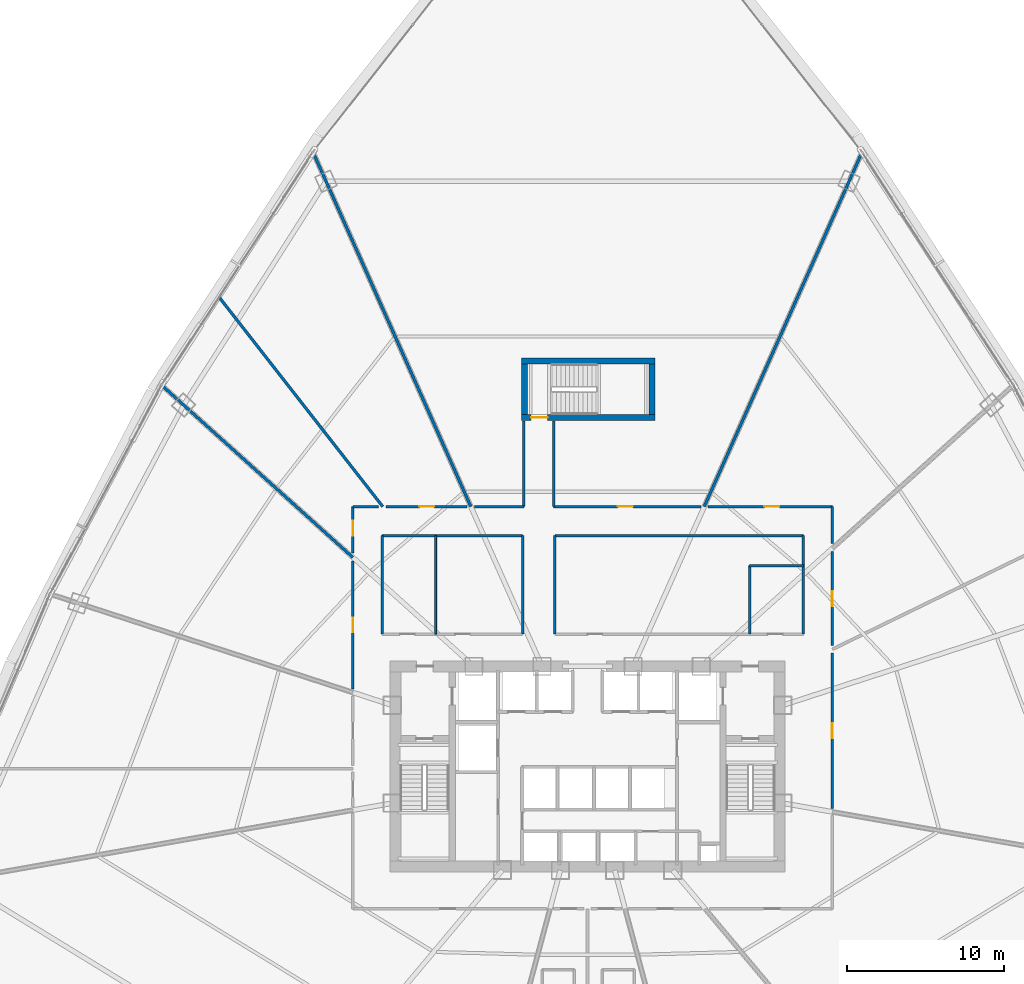
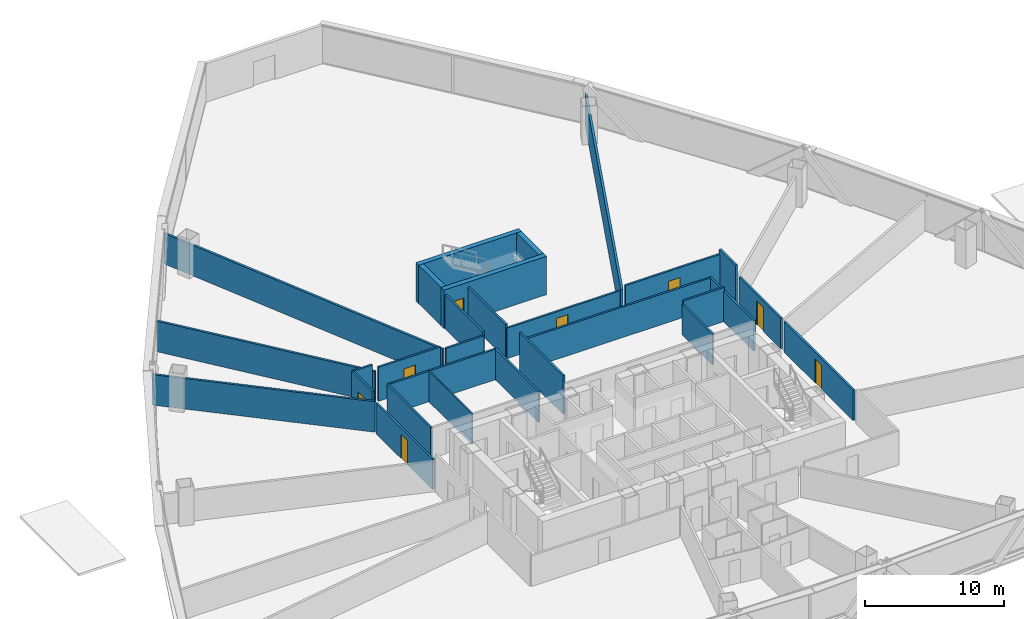
# One storey, part 32 of 38: 29 walls, 8 doors, 8 openings.
"""IFC4 building model written with IfcOpenShell, lengths in metres."""

from ifc_helpers import new_model, si_unit, direction, frame, frame_2d, origin, origin_with_axes, place, context, subcontext, project, spatial, rectangle, extrude, source, transform, mapped, material, layer, layer_set, type_object, element, fill, save


model = new_model("IFC4")

# Units and contexts
model_context = context("Model", 3, precision=1e-05, world=origin(), true_north=direction((0.0, 1.0)))
body_context = subcontext(model_context, "Body", "Model", "MODEL_VIEW")
ifc_project = project(units=[si_unit("LENGTHUNIT", "METRE"), si_unit("AREAUNIT", "SQUARE_METRE"), si_unit("VOLUMEUNIT", "CUBIC_METRE"), si_unit("PLANEANGLEUNIT", "RADIAN"), si_unit("MASSUNIT", "GRAM", prefix="KILO"), si_unit("THERMODYNAMICTEMPERATUREUNIT", "KELVIN"), si_unit("POWERUNIT", "WATT")], contexts=[model_context])

# Site, building, storey
site_placement = place(None, origin())
site = spatial("IfcSite", under=ifc_project, at=site_placement, CompositionType="ELEMENT")
building_placement = place(site_placement, origin())
building = spatial("IfcBuilding", under=site, at=building_placement, Name="Yunzhuo Pagoda Commons", CompositionType="ELEMENT")
storey_placement = place(building_placement, frame((0.0, 0.0, 30.39990234375)))
storey = spatial("IfcBuildingStorey", under=building, at=storey_placement, Name="L07", CompositionType="ELEMENT", Elevation=30.39990234375)

# Walls
ifc_material_1 = material(Name="Gypsum plasterboard on acoustic stud")
ifc_layer_1 = layer(ifc_material_1, 0.159912109375)
ifc_layer_set_1 = layer_set([ifc_layer_1], Name="Gypsum plasterboard on acoustic stud")
wall_type_1 = type_object("IfcWallType", Name="W-COR1 Tower Rated Corridor Wall 160", PredefinedType="PARTITIONING", material=ifc_layer_set_1)
wall_1_placement = place(storey_placement, frame((34.949951171875, 48.5, 0.0), z_axis=(0.0, 0.0, 1.0), x_axis=(1.0, 0.0, 0.0)))
element("IfcWall", 1, at=wall_1_placement, inside=storey, type_object=wall_type_1, Name="L07 interior wall IW-L07-ISLWN", PredefinedType="PARTITIONING", context=body_context, shape_type="SweptSolid", body=[
    extrude(rectangle(XDim=8.929931640625, YDim=0.159912109375, at=frame_2d((4.46484375, 0.0))), origin(), (0.0, 0.0, 1.0), 2.670166015625),
])
for number, where, z_axis, x_axis, name in (
    (2, (34.949951171875, 42.25, 0.0), (0.0, 0.0, 1.0), (0.0, 1.0, 0.0), "L07 interior wall IW-L07-ISLWW"),
    (3, (43.8798828125, 42.25, 0.0), (0.0, 0.0, 1.0), (0.0, 1.0, 0.0), "L07 interior wall IW-L07-ISLWE"),
):
    element("IfcWall", number, at=place(storey_placement, frame(where, z_axis=z_axis, x_axis=x_axis)), inside=storey, type_object=wall_type_1, Name=name, PredefinedType="PARTITIONING", context=body_context, shape_type="SweptSolid", body=[
        extrude(rectangle(XDim=6.25, YDim=0.159912109375, at=frame_2d((3.125, 0.0))), origin(), (0.0, 0.0, 1.0), 2.670166015625),
    ])
wall_2_placement = place(storey_placement, frame((45.919921875, 48.5, 0.0), z_axis=(0.0, 0.0, 1.0), x_axis=(1.0, 0.0, 0.0)))
element("IfcWall", 4, at=wall_2_placement, inside=storey, type_object=wall_type_1, Name="L07 interior wall IW-L07-ISLEN", PredefinedType="PARTITIONING", context=body_context, shape_type="SweptSolid", body=[
    extrude(rectangle(XDim=15.780029296875, YDim=0.159912109375, at=frame_2d((7.89013671875, 0.0))), origin(), (0.0, 0.0, 1.0), 2.670166015625),
])
wall_3_placement = place(storey_placement, frame((45.919921875, 42.25, 0.0), z_axis=(0.0, 0.0, 1.0), x_axis=(0.0, 1.0, 0.0)))
element("IfcWall", 5, at=wall_3_placement, inside=storey, type_object=wall_type_1, Name="L07 interior wall IW-L07-ISLEW", PredefinedType="PARTITIONING", context=body_context, shape_type="SweptSolid", body=[
    extrude(rectangle(XDim=6.25, YDim=0.159912109375, at=frame_2d((3.125, 0.0))), origin(), (0.0, 0.0, 1.0), 3.3701171875),
])
wall_4_placement = place(storey_placement, frame((61.699951171875, 42.25, 0.0), z_axis=(0.0, 0.0, 1.0), x_axis=(0.0, 1.0, 0.0)))
element("IfcWall", 6, at=wall_4_placement, inside=storey, type_object=wall_type_1, Name="L07 interior wall IW-L07-ISLEE", PredefinedType="PARTITIONING", context=body_context, shape_type="SweptSolid", body=[
    extrude(rectangle(XDim=6.25, YDim=0.159912109375, at=frame_2d((3.125, 0.0))), origin(), (0.0, 0.0, 1.0), 2.670166015625),
])
wall_5_placement = place(storey_placement, frame((58.300048828125, 42.25, 0.0), z_axis=(0.0, 0.0, 1.0), x_axis=(0.0, 1.0, 0.0)))
element("IfcWall", 7, at=wall_5_placement, inside=storey, type_object=wall_type_1, Name="L07 interior wall IW-L07-ISL2W", PredefinedType="PARTITIONING", context=body_context, shape_type="SweptSolid", body=[
    extrude(rectangle(XDim=4.35009765625, YDim=0.159912109375, at=frame_2d((2.175048828125, 0.0))), origin(), (0.0, 0.0, 1.0), 2.670166015625),
])
wall_6_placement = place(storey_placement, frame((58.300048828125, 46.60009765625, 0.0), z_axis=(0.0, 0.0, 1.0), x_axis=(1.0, 0.0, 0.0)))
element("IfcWall", 8, at=wall_6_placement, inside=storey, type_object=wall_type_1, Name="L07 interior wall IW-L07-ISL2N", PredefinedType="PARTITIONING", context=body_context, shape_type="SweptSolid", body=[
    extrude(rectangle(XDim=3.39990234375, YDim=0.159912109375, at=frame_2d((1.699951171875, 0.0))), origin(), (0.0, 0.0, 1.0), 2.97021484375),
])

# Wall, opening, door
wall_7_placement = place(storey_placement, frame((33.10009765625, 38.772705078125, 0.0), z_axis=(0.0, 0.0, 1.0), x_axis=(0.0, 1.0, 0.0)))
wall_7 = element("IfcWall", 9, at=wall_7_placement, inside=storey, type_object=wall_type_1, Name="L07 interior wall IW-L07-CWL04", PredefinedType="PARTITIONING", context=body_context, shape_type="SweptSolid", body=[
    extrude(rectangle(XDim=8.12353515625, YDim=0.159912109375, at=frame_2d((4.061767578125, 0.0))), origin(), (0.0, 0.0, 1.0), 2.670166015625),
])
opening_1_placement = place(wall_7_placement, frame((3.5810546875, 0.0, 0.0)))
opening_1 = element("IfcOpeningElement", 10, at=opening_1_placement, cuts=wall_7, Name="Opening D-06", PredefinedType="OPENING", context=body_context, shape_type="SweptSolid", body=[
    extrude(rectangle(XDim=0.949951171875, YDim=2.10009765625, at=frame_2d((0.47509765625, 1.050048828125))), frame((0.0, 0.08984375, 0.0), z_axis=(0.0, -1.0, 0.0), x_axis=(1.0, 0.0, 0.0)), (0.0, 0.0, 1.0), 0.179931640625),
])
ifc_material_2 = material(Name="Galvanized fire-resisting metal leaf")
door_type_1 = type_object("IfcDoorType", Name="D-06 Co-Living Suite Entrance Fire Door 950x2100", OperationType="NOTDEFINED", PredefinedType="DOOR", material=ifc_material_2)
shared_shape_1 = source(origin(), body_context, "Body", "SweptSolid", [
    extrude(rectangle(XDim=0.949951171875, YDim=2.10009765625, at=frame_2d((0.47509765625, 1.050048828125))), frame((0.0, 0.02490234375, 0.0), z_axis=(0.0, -1.0, 0.0), x_axis=(1.0, 0.0, 0.0)), (0.0, 0.0, 1.0), 0.050048828125),
])
door_1_placement = place(opening_1_placement, origin_with_axes())
door_1 = element("IfcDoor", 11, at=door_1_placement, inside=storey, type_object=door_type_1, Name="L07 unit 07 entrance door", OperationType="SINGLE_SWING_LEFT", OverallHeight=2.10009765625, OverallWidth=0.949951171875, PredefinedType="DOOR", context=body_context, shape_type="MappedRepresentation", body=[
    mapped(shared_shape_1, transform((0.0, 0.0, 0.0), scale=1.0)),
])
fill(opening_1, door_1)

wall_8_placement = place(storey_placement, frame((33.10009765625, 47.412109375, 0.0), z_axis=(0.0, 0.0, 1.0), x_axis=(0.0, 1.0, 0.0)))
wall_8 = element("IfcWall", 12, at=wall_8_placement, inside=storey, type_object=wall_type_1, Name="L07 interior wall IW-L07-CWL05", PredefinedType="PARTITIONING", context=body_context, shape_type="SweptSolid", body=[
    extrude(rectangle(XDim=2.93798828125, YDim=0.159912109375, at=frame_2d((1.468994140625, 0.0))), origin(), (0.0, 0.0, 1.0), 3.3701171875),
])
opening_2_placement = place(wall_8_placement, frame((1.075927734375, 0.0, 0.0)))
opening_2 = element("IfcOpeningElement", 13, at=opening_2_placement, cuts=wall_8, Name="Opening D-06", PredefinedType="OPENING", context=body_context, shape_type="SweptSolid", body=[
    extrude(rectangle(XDim=0.949951171875, YDim=2.10009765625, at=frame_2d((0.47509765625, 1.050048828125))), frame((0.0, 0.08984375, 0.0), z_axis=(0.0, -1.0, 0.0), x_axis=(1.0, 0.0, 0.0)), (0.0, 0.0, 1.0), 0.179931640625),
])
door_2_placement = place(opening_2_placement, origin_with_axes())
door_2 = element("IfcDoor", 14, at=door_2_placement, inside=storey, type_object=door_type_1, Name="L07 unit 06 entrance door", OperationType="SINGLE_SWING_RIGHT", OverallHeight=2.10009765625, OverallWidth=0.949951171875, PredefinedType="DOOR", context=body_context, shape_type="MappedRepresentation", body=[
    mapped(shared_shape_1, transform((0.0, 0.0, 0.0), scale=1.0)),
])
fill(opening_2, door_2)

# Wall
wall_9_placement = place(storey_placement, frame((33.10009765625, 50.35009765625, 0.0), z_axis=(0.0, 0.0, 1.0), x_axis=(1.0, 0.0, 0.0)))
element("IfcWall", 15, at=wall_9_placement, inside=storey, type_object=wall_type_1, Name="L07 interior wall IW-L07-CWL06", PredefinedType="PARTITIONING", context=body_context, shape_type="SweptSolid", body=[
    extrude(rectangle(XDim=1.6123046875, YDim=0.159912109375, at=frame_2d((0.80615234375, 0.0))), origin(), (0.0, 0.0, 1.0), 3.3701171875),
])

# Wall, opening, door
wall_10_placement = place(storey_placement, frame((35.21142578125, 50.35009765625, 0.0), z_axis=(0.0, 0.0, 1.0), x_axis=(1.0, 0.0, 0.0)))
wall_10 = element("IfcWall", 16, at=wall_10_placement, inside=storey, type_object=wall_type_1, Name="L07 interior wall IW-L07-CWL07", PredefinedType="PARTITIONING", context=body_context, shape_type="SweptSolid", body=[
    extrude(rectangle(XDim=5.134765625, YDim=0.159912109375, at=frame_2d((2.5673828125, 0.0))), origin(), (0.0, 0.0, 1.0), 2.97021484375),
])
opening_3_placement = place(wall_10_placement, frame((2.102783203125, 0.0, 0.0)))
opening_3 = element("IfcOpeningElement", 17, at=opening_3_placement, cuts=wall_10, Name="Opening D-06", PredefinedType="OPENING", context=body_context, shape_type="SweptSolid", body=[
    extrude(rectangle(XDim=0.949951171875, YDim=2.10009765625, at=frame_2d((0.47509765625, 1.050048828125))), frame((0.0, 0.08984375, 0.0), z_axis=(0.0, -1.0, 0.0), x_axis=(1.0, 0.0, 0.0)), (0.0, 0.0, 1.0), 0.179931640625),
])
door_3_placement = place(opening_3_placement, origin_with_axes())
door_3 = element("IfcDoor", 18, at=door_3_placement, inside=storey, type_object=door_type_1, Name="L07 unit 05 entrance door", OperationType="SINGLE_SWING_LEFT", OverallHeight=2.10009765625, OverallWidth=0.949951171875, PredefinedType="DOOR", context=body_context, shape_type="MappedRepresentation", body=[
    mapped(shared_shape_1, transform((0.0, 0.0, 0.0), scale=1.0)),
])
fill(opening_3, door_3)

# Walls
wall_11_placement = place(storey_placement, frame((40.806640625, 50.35009765625, 0.0), z_axis=(0.0, 0.0, 1.0), x_axis=(1.0, 0.0, 0.0)))
element("IfcWall", 19, at=wall_11_placement, inside=storey, type_object=wall_type_1, Name="L07 interior wall IW-L07-CWL08", PredefinedType="PARTITIONING", context=body_context, shape_type="SweptSolid", body=[
    extrude(rectangle(XDim=3.143310546875, YDim=0.159912109375, at=frame_2d((1.57177734375, 0.0))), origin(), (0.0, 0.0, 1.0), 2.670166015625),
])
for number, where, z_axis, x_axis, name in (
    (20, (43.949951171875, 50.35009765625, 0.0), (0.0, 0.0, 1.0), (0.0, 1.0, 0.0), "L07 interior wall IW-L07-CWL09"),
    (21, (45.85009765625, 55.780029296875, 0.0), (0.0, 0.0, 1.0), (0.0, -1.0, 0.0), "L07 interior wall IW-L07-CWL10"),
):
    element("IfcWall", number, at=place(storey_placement, frame(where, z_axis=z_axis, x_axis=x_axis)), inside=storey, type_object=wall_type_1, Name=name, PredefinedType="PARTITIONING", context=body_context, shape_type="SweptSolid", body=[
        extrude(rectangle(XDim=5.429931640625, YDim=0.159912109375, at=frame_2d((2.71484375, 0.0))), origin(), (0.0, 0.0, 1.0), 2.97021484375),
    ])

# Wall, opening, door
wall_12_placement = place(storey_placement, frame((45.85009765625, 50.35009765625, 0.0), z_axis=(0.0, 0.0, 1.0), x_axis=(1.0, 0.0, 0.0)))
wall_12 = element("IfcWall", 22, at=wall_12_placement, inside=storey, type_object=wall_type_1, Name="L07 interior wall IW-L07-CWL11", PredefinedType="PARTITIONING", context=body_context, shape_type="SweptSolid", body=[
    extrude(rectangle(XDim=9.34326171875, YDim=0.159912109375, at=frame_2d((4.671630859375, 0.0))), origin(), (0.0, 0.0, 1.0), 2.670166015625),
])
opening_4_placement = place(wall_12_placement, frame((4.076416015625, 0.0, 0.0)))
opening_4 = element("IfcOpeningElement", 23, at=opening_4_placement, cuts=wall_12, Name="Opening D-06", PredefinedType="OPENING", context=body_context, shape_type="SweptSolid", body=[
    extrude(rectangle(XDim=0.949951171875, YDim=2.10009765625, at=frame_2d((0.47509765625, 1.050048828125))), frame((0.0, 0.08984375, 0.0), z_axis=(0.0, -1.0, 0.0), x_axis=(1.0, 0.0, 0.0)), (0.0, 0.0, 1.0), 0.179931640625),
])
door_4_placement = place(opening_4_placement, origin_with_axes())
door_4 = element("IfcDoor", 24, at=door_4_placement, inside=storey, type_object=door_type_1, Name="L07 unit 04 entrance door", OperationType="SINGLE_SWING_RIGHT", OverallHeight=2.10009765625, OverallWidth=0.949951171875, PredefinedType="DOOR", context=body_context, shape_type="MappedRepresentation", body=[
    mapped(shared_shape_1, transform((0.0, 0.0, 0.0), scale=1.0)),
])
fill(opening_4, door_4)

wall_13_placement = place(storey_placement, frame((55.65380859375, 50.35009765625, 0.0), z_axis=(0.0, 0.0, 1.0), x_axis=(1.0, 0.0, 0.0)))
wall_13 = element("IfcWall", 25, at=wall_13_placement, inside=storey, type_object=wall_type_1, Name="L07 interior wall IW-L07-CWL12", PredefinedType="PARTITIONING", context=body_context, shape_type="SweptSolid", body=[
    extrude(rectangle(XDim=7.896240234375, YDim=0.159912109375, at=frame_2d((3.9482421875, 0.0))), origin(), (0.0, 0.0, 1.0), 2.97021484375),
])
opening_5_placement = place(wall_13_placement, frame((3.582763671875, 0.0, 0.0)))
opening_5 = element("IfcOpeningElement", 26, at=opening_5_placement, cuts=wall_13, Name="Opening D-06", PredefinedType="OPENING", context=body_context, shape_type="SweptSolid", body=[
    extrude(rectangle(XDim=0.949951171875, YDim=2.10009765625, at=frame_2d((0.47509765625, 1.050048828125))), frame((0.0, 0.08984375, 0.0), z_axis=(0.0, -1.0, 0.0), x_axis=(1.0, 0.0, 0.0)), (0.0, 0.0, 1.0), 0.179931640625),
])
door_5_placement = place(opening_5_placement, origin_with_axes())
door_5 = element("IfcDoor", 27, at=door_5_placement, inside=storey, type_object=door_type_1, Name="L07 unit 03 entrance door", OperationType="SINGLE_SWING_LEFT", OverallHeight=2.10009765625, OverallWidth=0.949951171875, PredefinedType="DOOR", context=body_context, shape_type="MappedRepresentation", body=[
    mapped(shared_shape_1, transform((0.0, 0.0, 0.0), scale=1.0)),
])
fill(opening_5, door_5)

# Wall
wall_14_placement = place(storey_placement, frame((63.550048828125, 50.35009765625, 0.0), z_axis=(0.0, 0.0, 1.0), x_axis=(0.0, -1.0, 0.0)))
element("IfcWall", 28, at=wall_14_placement, inside=storey, type_object=wall_type_1, Name="L07 interior wall IW-L07-CWL13", PredefinedType="PARTITIONING", context=body_context, shape_type="SweptSolid", body=[
    extrude(rectangle(XDim=2.352783203125, YDim=0.159912109375, at=frame_2d((1.17626953125, 0.0))), origin(), (0.0, 0.0, 1.0), 3.3701171875),
])

# Wall, opening, door
wall_15_placement = place(storey_placement, frame((63.550048828125, 47.481689453125, 0.0), z_axis=(0.0, 0.0, 1.0), x_axis=(0.0, -1.0, 0.0)))
wall_15 = element("IfcWall", 29, at=wall_15_placement, inside=storey, type_object=wall_type_1, Name="L07 interior wall IW-L07-CWL14", PredefinedType="PARTITIONING", context=body_context, shape_type="SweptSolid", body=[
    extrude(rectangle(XDim=5.95263671875, YDim=0.159912109375, at=frame_2d((2.976318359375, 0.0))), origin(), (0.0, 0.0, 1.0), 2.670166015625),
])
opening_6_placement = place(wall_15_placement, frame((2.513916015625, 0.0, 0.0)))
opening_6 = element("IfcOpeningElement", 30, at=opening_6_placement, cuts=wall_15, Name="Opening D-06", PredefinedType="OPENING", context=body_context, shape_type="SweptSolid", body=[
    extrude(rectangle(XDim=0.949951171875, YDim=2.10009765625, at=frame_2d((0.47509765625, 1.050048828125))), frame((0.0, 0.08984375, 0.0), z_axis=(0.0, -1.0, 0.0), x_axis=(1.0, 0.0, 0.0)), (0.0, 0.0, 1.0), 0.179931640625),
])
door_6_placement = place(opening_6_placement, origin_with_axes())
door_6 = element("IfcDoor", 31, at=door_6_placement, inside=storey, type_object=door_type_1, Name="L07 unit 02 entrance door", OperationType="SINGLE_SWING_RIGHT", OverallHeight=2.10009765625, OverallWidth=0.949951171875, PredefinedType="DOOR", context=body_context, shape_type="MappedRepresentation", body=[
    mapped(shared_shape_1, transform((0.0, 0.0, 0.0), scale=1.0)),
])
fill(opening_6, door_6)

wall_16_placement = place(storey_placement, frame((63.550048828125, 41.064453125, 0.0), z_axis=(0.0, 0.0, 1.0), x_axis=(0.0, -1.0, 0.0)))
wall_16 = element("IfcWall", 32, at=wall_16_placement, inside=storey, type_object=wall_type_1, Name="L07 interior wall IW-L07-CWL15", PredefinedType="PARTITIONING", context=body_context, shape_type="SweptSolid", body=[
    extrude(rectangle(XDim=9.886474609375, YDim=0.159912109375, at=frame_2d((4.943359375, 0.0))), origin(), (0.0, 0.0, 1.0), 2.670166015625),
])
opening_7_placement = place(wall_16_placement, frame((4.46826171875, 0.0, 0.0)))
opening_7 = element("IfcOpeningElement", 33, at=opening_7_placement, cuts=wall_16, Name="Opening D-06", PredefinedType="OPENING", context=body_context, shape_type="SweptSolid", body=[
    extrude(rectangle(XDim=0.949951171875, YDim=2.10009765625, at=frame_2d((0.47509765625, 1.050048828125))), frame((0.0, 0.08984375, 0.0), z_axis=(0.0, -1.0, 0.0), x_axis=(1.0, 0.0, 0.0)), (0.0, 0.0, 1.0), 0.179931640625),
])
door_7_placement = place(opening_7_placement, origin_with_axes())
door_7 = element("IfcDoor", 34, at=door_7_placement, inside=storey, type_object=door_type_1, Name="L07 Shared Resident Kitchen and Pantry door", OperationType="SINGLE_SWING_LEFT", OverallHeight=2.10009765625, OverallWidth=0.949951171875, PredefinedType="DOOR", context=body_context, shape_type="MappedRepresentation", body=[
    mapped(shared_shape_1, transform((0.0, 0.0, 0.0), scale=1.0)),
])
fill(opening_7, door_7)

# Walls
ifc_layer_2 = layer(ifc_material_1, 0.1201171875)
ifc_layer_set_2 = layer_set([ifc_layer_2], Name="Gypsum plasterboard on acoustic stud")
wall_type_2 = type_object("IfcWallType", Name="W-PRT1 Suite & Bathroom Partition 120", PredefinedType="PARTITIONING", material=ifc_layer_set_2)
wall_17_placement = place(storey_placement, frame((38.35009765625, 42.25, 0.0), z_axis=(0.0, 0.0, 1.0), x_axis=(0.0, 1.0, 0.0)))
element("IfcWall", 35, at=wall_17_placement, inside=storey, type_object=wall_type_2, Name="L07 interior wall IW-L07-ISLW1", PredefinedType="PARTITIONING", context=body_context, shape_type="SweptSolid", body=[
    extrude(rectangle(XDim=6.25, YDim=0.1201171875, at=frame_2d((3.125, 0.0))), origin(), (0.0, 0.0, 1.0), 2.670166015625),
])
ifc_layer_3 = layer(ifc_material_1, 0.179931640625)
ifc_layer_set_3 = layer_set([ifc_layer_3], Name="Gypsum plasterboard on acoustic stud")
wall_type_3 = type_object("IfcWallType", Name="W-PRT2 Acoustic Unit Demising Wall 180", PredefinedType="PARTITIONING", material=ifc_layer_set_3)
for number, where, z_axis, x_axis, name in (
    (36, (55.4130859375, 50.35009765625, 0.0), (0.0, 0.0, 1.0), (0.406741199867, 0.913543428815, 0.0), "L07 interior wall IW-L07-RAD03"),
    (37, (40.5869140625, 50.35009765625, 0.0), (0.0, 0.0, 1.0), (-0.406741199867, 0.913543428815, 0.0), "L07 interior wall IW-L07-RAD04"),
):
    element("IfcWall", number, at=place(storey_placement, frame(where, z_axis=z_axis, x_axis=x_axis)), inside=storey, type_object=wall_type_3, Name=name, PredefinedType="PARTITIONING", context=body_context, shape_type="SweptSolid", body=[
        extrude(rectangle(XDim=24.650390625, YDim=0.179931640625, at=frame_2d((12.3251953125, 0.0))), origin(), (0.0, 0.0, 1.0), 2.670166015625),
    ])
wall_18_placement = place(storey_placement, frame((34.99169921875, 50.35009765625, 0.0), z_axis=(0.0, 0.0, 1.0), x_axis=(-0.615670109541, 0.788004007742, 0.0)))
element("IfcWall", 38, at=wall_18_placement, inside=storey, type_object=wall_type_3, Name="L07 interior wall IW-L07-RAD05", PredefinedType="PARTITIONING", context=body_context, shape_type="SweptSolid", body=[
    extrude(rectangle(XDim=16.90234375, YDim=0.179931640625, at=frame_2d((8.451171875, 0.0))), origin(), (0.0, 0.0, 1.0), 2.670166015625),
])
wall_19_placement = place(storey_placement, frame((33.10009765625, 47.115966796875, 0.0), z_axis=(0.0, 0.0, 1.0), x_axis=(-0.74314347906, 0.669132101704, 0.0)))
element("IfcWall", 39, at=wall_19_placement, inside=storey, type_object=wall_type_3, Name="L07 interior wall IW-L07-RAD06", PredefinedType="PARTITIONING", context=body_context, shape_type="SweptSolid", body=[
    extrude(rectangle(XDim=16.358154296875, YDim=0.179931640625, at=frame_2d((8.17919921875, 0.0))), origin(), (0.0, 0.0, 1.0), 2.670166015625),
])
ifc_material_3 = material(Name="Concrete C60", Category="concrete")
ifc_layer_4 = layer(ifc_material_3, 0.39990234375)
ifc_layer_set_4 = layer_set([ifc_layer_4], Name="Concrete C60")
wall_type_4 = type_object("IfcWallType", Name="W-S01 Internal Core Shear Web 400", PredefinedType="SHEAR", material=ifc_layer_set_4)
wall_20_placement = place(storey_placement, frame((43.800048828125, 59.60009765625, 0.0), z_axis=(0.0, 0.0, 1.0), x_axis=(1.0, 0.0, 0.0)))
element("IfcWall", 40, at=wall_20_placement, inside=storey, type_object=wall_type_4, Name="L07 ST3 structural stair wall N", PredefinedType="SHEAR", context=body_context, shape_type="SweptSolid", body=[
    extrude(rectangle(XDim=8.5, YDim=0.39990234375, at=frame_2d((4.25, 0.0))), origin(), (0.0, 0.0, 1.0), 3.3701171875),
])

# Wall, opening, door
wall_21_placement = place(storey_placement, frame((43.800048828125, 56.0, 0.0), z_axis=(0.0, 0.0, 1.0), x_axis=(1.0, 0.0, 0.0)))
wall_21 = element("IfcWall", 41, at=wall_21_placement, inside=storey, type_object=wall_type_4, Name="L07 ST3 structural stair wall S", PredefinedType="SHEAR", context=body_context, shape_type="SweptSolid", body=[
    extrude(rectangle(XDim=8.5, YDim=0.39990234375, at=frame_2d((4.25, 0.0))), origin(), (0.0, 0.0, 1.0), 3.3701171875),
])
opening_8_placement = place(wall_21_placement, frame((0.6201171875, 0.0, 0.0)))
opening_8 = element("IfcOpeningElement", 42, at=opening_8_placement, cuts=wall_21, Name="Opening D-01", PredefinedType="OPENING", context=body_context, shape_type="SweptSolid", body=[
    extrude(rectangle(XDim=1.050048828125, YDim=2.10009765625, at=frame_2d((0.52490234375, 1.050048828125))), frame((0.0, 0.2099609375, 0.0), z_axis=(0.0, -1.0, 0.0), x_axis=(1.0, 0.0, 0.0)), (0.0, 0.0, 1.0), 0.419921875),
])
door_type_2 = type_object("IfcDoorType", Name="D-01 Smokeproof Stair Fire Door 1050x2100", OperationType="NOTDEFINED", PredefinedType="DOOR", material=ifc_material_2)
shared_shape_2 = source(origin(), body_context, "Body", "SweptSolid", [
    extrude(rectangle(XDim=1.050048828125, YDim=2.10009765625, at=frame_2d((0.52490234375, 1.050048828125))), frame((0.0, 0.02490234375, 0.0), z_axis=(0.0, -1.0, 0.0), x_axis=(1.0, 0.0, 0.0)), (0.0, 0.0, 1.0), 0.050048828125),
])
door_8_placement = place(opening_8_placement, frame((1.050048828125, 0.0, 0.0), z_axis=(0.0, 0.0, 1.0), x_axis=(-1.0, 0.0, 0.0)))
door_8 = element("IfcDoor", 43, at=door_8_placement, inside=storey, type_object=door_type_2, Name="L07 Stair ST3 fire door", OperationType="SINGLE_SWING_LEFT", OverallHeight=2.10009765625, OverallWidth=1.050048828125, PredefinedType="DOOR", context=body_context, shape_type="MappedRepresentation", body=[
    mapped(shared_shape_2, transform((0.0, 0.0, 0.0), scale=1.0)),
])
fill(opening_8, door_8)

# Walls
for number, where, z_axis, x_axis, name in (
    (44, (44.0, 56.199951171875, 0.0), (0.0, 0.0, 1.0), (0.0, 1.0, 0.0), "L07 ST3 structural stair wall W"),
    (45, (52.10009765625, 56.199951171875, 0.0), (0.0, 0.0, 1.0), (0.0, 1.0, 0.0), "L07 ST3 structural stair wall E"),
):
    element("IfcWall", number, at=place(storey_placement, frame(where, z_axis=z_axis, x_axis=x_axis)), inside=storey, type_object=wall_type_4, Name=name, PredefinedType="SHEAR", context=body_context, shape_type="SweptSolid", body=[
        extrude(rectangle(XDim=3.199951171875, YDim=0.39990234375, at=frame_2d((1.60009765625, 0.0))), origin(), (0.0, 0.0, 1.0), 3.3701171875),
    ])

save(model, "model.ifc")
